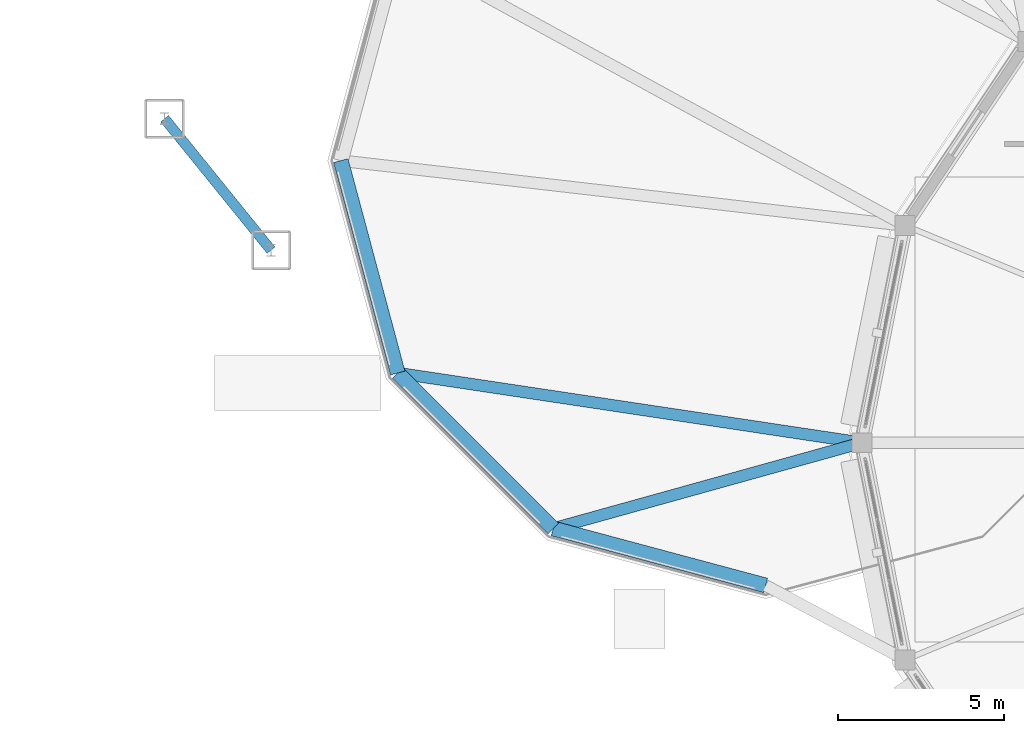
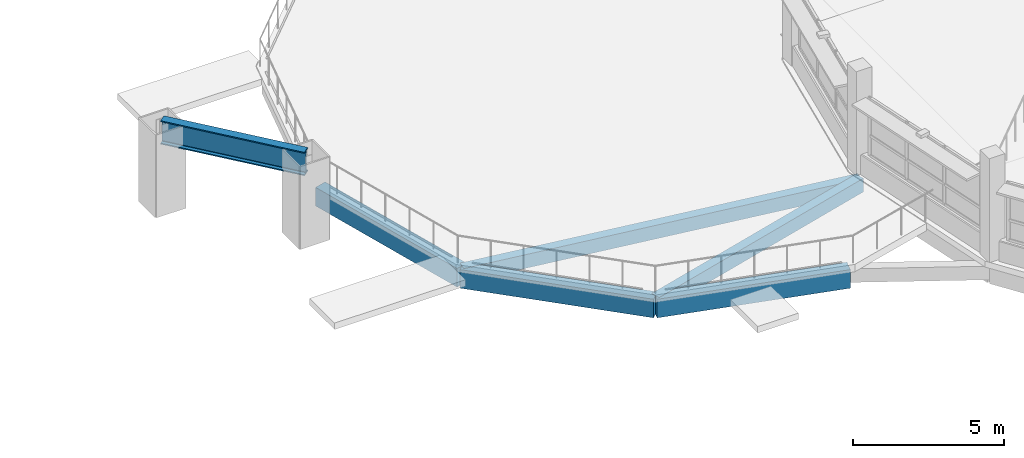
# One storey, part 38 of 128: 6 beams.
"""IFC4 building model written with IfcOpenShell, lengths in metres."""

from ifc_helpers import new_model, si_unit, direction, frame, origin, origin_2d, place, context, subcontext, project, spatial, rectangle, i_section, extrude, material, material_profile, profile_set, type_object, element, save


model = new_model("IFC4")

# Units and contexts
model_context = context("Model", 3, precision=1e-05, world=origin(), true_north=direction((0.0, 1.0)))
body_context = subcontext(model_context, "Body", "Model", "MODEL_VIEW")
ifc_project = project(units=[si_unit("LENGTHUNIT", "METRE"), si_unit("AREAUNIT", "SQUARE_METRE"), si_unit("VOLUMEUNIT", "CUBIC_METRE"), si_unit("PLANEANGLEUNIT", "RADIAN"), si_unit("MASSUNIT", "GRAM", prefix="KILO")], contexts=[model_context])

# Site, building, storey
site_placement = place(None, origin())
site = spatial("IfcSite", under=ifc_project, at=site_placement, CompositionType="ELEMENT")
building_placement = place(site_placement, origin())
building = spatial("IfcBuilding", under=site, at=building_placement, Name="Vespera Passage Community Centre", CompositionType="ELEMENT")
storey_placement = place(building_placement, frame((0.0, 0.0, 4.5)))
storey = spatial("IfcBuildingStorey", under=building, at=storey_placement, Name="L01", CompositionType="ELEMENT", Elevation=4.5)

# Beams
ifc_material_1 = material(Name="Concrete f'c 35 MPa", Category="concrete")
ifc_material_profile_1 = material_profile(ifc_material_1, rectangle(XDim=0.35009765625, YDim=0.550048828125, at=origin_2d()), Name="RC350X550")
ifc_profile_set_1 = profile_set([ifc_material_profile_1], Name="Concrete f'c 35 MPa")
beam_type_1 = type_object("IfcBeamType", Name="BM-J-350X550", PredefinedType="JOIST", material=ifc_profile_set_1)
beam_1_placement = place(storey_placement, frame((109.914794921875, 27.10009765625, -0.574951171875), z_axis=(0.988912153767, -0.148501690671, 0.0), x_axis=(0.148501690671, 0.988912153767, 0.0)))
element("IfcBeam", 1, at=beam_1_placement, inside=storey, type_object=beam_type_1, Name="V3A L01 Radial Tie Girder 6", PredefinedType="JOIST", context=body_context, shape_type="SweptSolid", body=[
    extrude(rectangle(XDim=0.35009765625, YDim=0.550048828125, at=origin_2d()), origin(), (0.0, 0.0, 1.0), 14.141845703125),
])
beam_2_placement = place(storey_placement, frame((114.60009765625, 22.414794921875, -0.574951171875), z_axis=(0.963466435857, 0.267829100317, 0.0), x_axis=(-0.267829100317, 0.963466435857, 0.0)))
element("IfcBeam", 2, at=beam_2_placement, inside=storey, type_object=beam_type_1, Name="V3A L01 Radial Tie Girder 7", PredefinedType="JOIST", context=body_context, shape_type="SweptSolid", body=[
    extrude(rectangle(XDim=0.35009765625, YDim=0.550048828125, at=origin_2d()), origin(), (0.0, 0.0, 1.0), 9.65234375),
])
ifc_material_2 = material(Name="Concrete f'c 35 MPa", Category="concrete")
ifc_material_profile_2 = material_profile(ifc_material_2, rectangle(XDim=0.449951171875, YDim=0.75, at=origin_2d()), Name="RC450X750")
ifc_profile_set_2 = profile_set([ifc_material_profile_2], Name="Concrete f'c 35 MPa")
beam_type_2 = type_object("IfcBeamType", Name="BM-SP-450X750E", PredefinedType="SPANDREL", material=ifc_profile_set_2)
beam_3_placement = place(storey_placement, frame((108.199951171875, 33.5, -0.675048828125), z_axis=(0.258818353032, -0.965926011729, 0.0), x_axis=(0.965926011729, 0.258818353032, 0.0)))
element("IfcBeam", 3, at=beam_3_placement, inside=storey, type_object=beam_type_2, Name="V3A L01 Cafe Spandrel 5", PredefinedType="SPANDREL", context=body_context, shape_type="SweptSolid", body=[
    extrude(rectangle(XDim=0.449951171875, YDim=0.75, at=origin_2d()), origin(), (0.0, 0.0, 1.0), 6.625732421875),
])
beam_4_placement = place(storey_placement, frame((109.914794921875, 27.10009765625, -0.675048828125), z_axis=(0.707106781187, -0.707106781187, 0.0), x_axis=(0.707106781187, 0.707106781187, 0.0)))
element("IfcBeam", 4, at=beam_4_placement, inside=storey, type_object=beam_type_2, Name="V3A L01 Cafe Spandrel 6", PredefinedType="SPANDREL", context=body_context, shape_type="SweptSolid", body=[
    extrude(rectangle(XDim=0.449951171875, YDim=0.75, at=origin_2d()), origin(), (0.0, 0.0, 1.0), 6.6259765625),
])
beam_5_placement = place(storey_placement, frame((114.60009765625, 22.414794921875, -0.675048828125), z_axis=(0.965926011729, -0.258818353032, 0.0), x_axis=(0.258818353032, 0.965926011729, 0.0)))
element("IfcBeam", 5, at=beam_5_placement, inside=storey, type_object=beam_type_2, Name="V3A L01 Cafe Spandrel 7", PredefinedType="SPANDREL", context=body_context, shape_type="SweptSolid", body=[
    extrude(rectangle(XDim=0.449951171875, YDim=0.75, at=origin_2d()), origin(), (0.0, 0.0, 1.0), 6.625732421875),
])
ifc_material_3 = material(Name="Steel ASTM A992 Grade 50", Category="steel")
ifc_material_profile_3 = material_profile(ifc_material_3, i_section(OverallWidth=0.310302734375, OverallDepth=0.950439453125, WebThickness=0.0244140625, FlangeThickness=0.0439453125, FilletRadius=0.024169921875, at=origin_2d()), Name="W36X256")
ifc_profile_set_3 = profile_set([ifc_material_profile_3], Name="Steel ASTM A992 Grade 50")
beam_type_3 = type_object("IfcBeamType", Name="TG-256", PredefinedType="USERDEFINED", material=ifc_profile_set_3)
beam_6_placement = place(storey_placement, frame((106.09912109375, 30.80029296875, 3.0), z_axis=(-0.629295996056, 0.7771657155, 0.0), x_axis=(-0.7771657155, -0.629295996056, 0.0)))
element("IfcBeam", 6, at=beam_6_placement, inside=storey, type_object=beam_type_3, Name="Pylon Truss Anchor Cap Girder 7", ObjectType="TRANSFER GIRDER", PredefinedType="USERDEFINED", context=body_context, shape_type="SweptSolid", body=[
    extrude(i_section(OverallWidth=0.310302734375, OverallDepth=0.950439453125, WebThickness=0.0244140625, FlangeThickness=0.0439453125, FilletRadius=0.024169921875, at=origin_2d()), origin(), (0.0, 0.0, 1.0), 5.10009765625),
])

save(model, "model.ifc")
